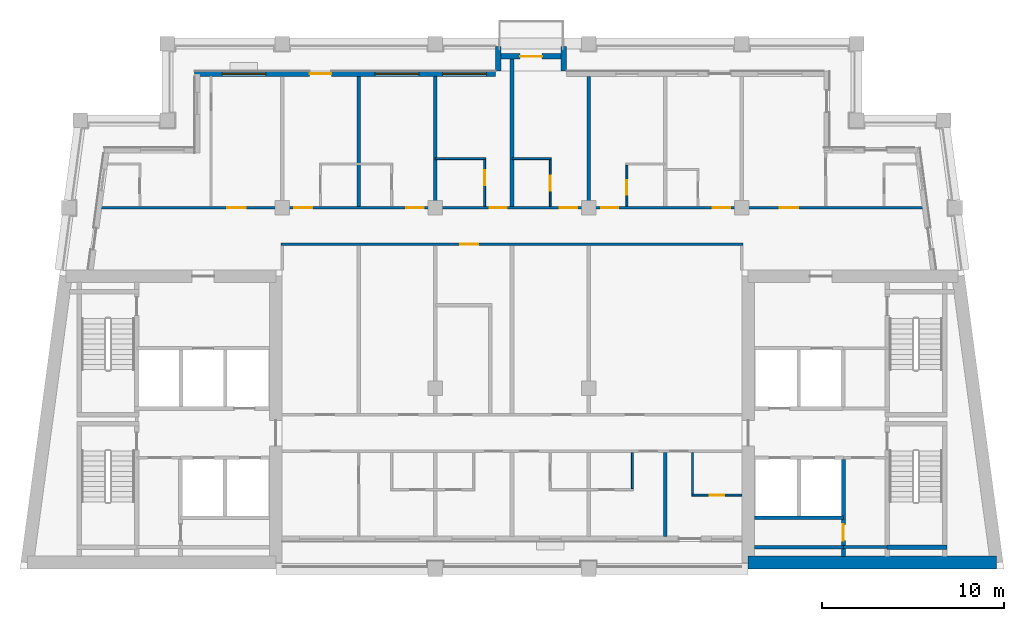
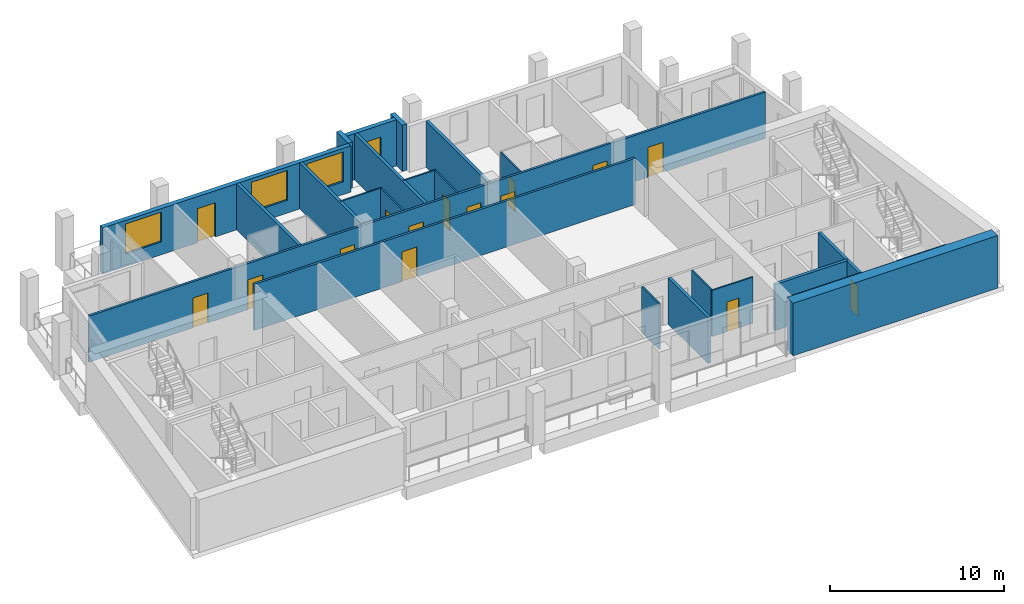
# One storey, part 4 of 10: 25 walls, 16 doors, 3 windows, 19 openings.
"""IFC4 building model written with IfcOpenShell, lengths in metres."""

from ifc_helpers import new_model, si_unit, direction, frame, frame_2d, origin, place, context, subcontext, project, spatial, rectangle, extrude, material, layer, layer_set, type_object, element, fill, save


model = new_model("IFC4")

# Units and contexts
model_context = context("Model", 3, precision=1e-05, world=origin(), true_north=direction((0.0, 1.0)))
body_context = subcontext(model_context, "Body", "Model", "MODEL_VIEW")
ifc_project = project(units=[si_unit("LENGTHUNIT", "METRE"), si_unit("AREAUNIT", "SQUARE_METRE"), si_unit("VOLUMEUNIT", "CUBIC_METRE"), si_unit("PLANEANGLEUNIT", "RADIAN"), si_unit("MASSUNIT", "GRAM", prefix="KILO")], contexts=[model_context])

# Site, building, storey
site_placement = place(None, origin())
site = spatial("IfcSite", under=ifc_project, at=site_placement, CompositionType="ELEMENT")
building_placement = place(site_placement, origin())
building = spatial("IfcBuilding", under=site, at=building_placement, Name="Candeia Pilgrim Tower and Theatre", CompositionType="ELEMENT")
storey_placement = place(building_placement, frame((0.0, 0.0, 299.699951171875)))
storey = spatial("IfcBuildingStorey", under=building, at=storey_placement, Name="L73", CompositionType="ELEMENT", Elevation=299.699951171875)

# Wall
ifc_material_1 = material(Name="Concrete C40/50", Category="concrete")
ifc_layer_1 = layer(ifc_material_1, 0.699951171875)
ifc_layer_set_1 = layer_set([ifc_layer_1], Name="Core wall 700 C40/50")
wall_type_1 = type_object("IfcWallType", Name="Core wall 700 C40/50", PredefinedType="SHEAR", material=ifc_layer_set_1)
wall_1_placement = place(storey_placement, frame((139.9765625, 116.35009765625, 0.0), z_axis=(0.0, 0.0, 1.0), x_axis=(-1.0, 0.0, 0.0)))
element("IfcWall", 1, at=wall_1_placement, inside=storey, type_object=wall_type_1, Name="Core wall E3", PredefinedType="SHEAR", context=body_context, shape_type="SweptSolid", body=[
    extrude(rectangle(XDim=13.62646484375, YDim=0.699951171875, at=frame_2d((6.813232421875, 0.0))), origin(), (0.0, 0.0, 1.0), 3.699951171875),
])

# Wall, openings, door, windows
ifc_material_2 = material(Name="Ceramic block masonry", Category="masonry")
ifc_layer_2 = layer(ifc_material_2, 0.300048828125)
ifc_layer_set_2 = layer_set([ifc_layer_2], Name="EW1 glazing-line wall 300")
wall_type_2 = type_object("IfcWallType", Name="EW1 glazing-line wall 300", PredefinedType="SOLIDWALL", material=ifc_layer_set_2)
wall_2_placement = place(storey_placement, frame((112.5, 143.14990234375, 0.0), z_axis=(0.0, 0.0, 1.0), x_axis=(-1.0, 0.0, 0.0)))
wall_2 = element("IfcWall", 2, at=wall_2_placement, inside=storey, type_object=wall_type_2, Name="External wall L73-5.1", PredefinedType="SOLIDWALL", context=body_context, shape_type="SweptSolid", body=[
    extrude(rectangle(XDim=16.5, YDim=0.300048828125, at=frame_2d((8.25, 0.0))), origin(), (0.0, 0.0, 1.0), 3.25),
])
opening_1_placement = place(wall_2_placement, frame((0.5, 0.0, 0.89990234375)))
opening_1 = element("IfcOpeningElement", 3, at=opening_1_placement, cuts=wall_2, Name="Opening W-A", PredefinedType="OPENING", context=body_context, shape_type="SweptSolid", body=[
    extrude(rectangle(XDim=2.39990234375, YDim=2.10009765625, at=frame_2d((1.199951171875, 1.050048828125))), frame((0.0, 0.16015625, 0.0), z_axis=(0.0, -1.0, 0.0), x_axis=(1.0, 0.0, 0.0)), (0.0, 0.0, 1.0), 0.320068359375),
])
opening_2_placement = place(wall_2_placement, frame((4.199951171875, 0.0, 0.89990234375)))
opening_2 = element("IfcOpeningElement", 4, at=opening_2_placement, cuts=wall_2, Name="Opening W-A", PredefinedType="OPENING", context=body_context, shape_type="SweptSolid", body=[
    extrude(rectangle(XDim=2.39990234375, YDim=2.10009765625, at=frame_2d((1.199951171875, 1.050048828125))), frame((0.0, 0.16015625, 0.0), z_axis=(0.0, -1.0, 0.0), x_axis=(1.0, 0.0, 0.0)), (0.0, 0.0, 1.0), 0.320068359375),
])
opening_3_placement = place(wall_2_placement, frame((9.0, 0.0, 0.0)))
opening_3 = element("IfcOpeningElement", 5, at=opening_3_placement, cuts=wall_2, Name="Opening L73-ED681", PredefinedType="OPENING", context=body_context, shape_type="SweptSolid", body=[
    extrude(rectangle(XDim=1.199951171875, YDim=2.39990234375, at=frame_2d((0.60009765625, 1.199951171875))), frame((0.0, 0.16015625, 0.0), z_axis=(0.0, -1.0, 0.0), x_axis=(1.0, 0.0, 0.0)), (0.0, 0.0, 1.0), 0.320068359375),
])
opening_4_placement = place(wall_2_placement, frame((12.60009765625, 0.0, 0.89990234375)))
opening_4 = element("IfcOpeningElement", 6, at=opening_4_placement, cuts=wall_2, Name="Opening W-A", PredefinedType="OPENING", context=body_context, shape_type="SweptSolid", body=[
    extrude(rectangle(XDim=2.39990234375, YDim=2.10009765625, at=frame_2d((1.199951171875, 1.050048828125))), frame((0.0, 0.16015625, 0.0), z_axis=(0.0, -1.0, 0.0), x_axis=(1.0, 0.0, 0.0)), (0.0, 0.0, 1.0), 0.320068359375),
])
ifc_material_3 = material(Name="Aluminium framed glazed door", Category="aluminium")
door_type_1 = type_object("IfcDoorType", Name="Loggia door 1200x2400", OperationType="DOUBLE_DOOR_SINGLE_SWING", PredefinedType="DOOR", material=ifc_material_3)
door_1_placement = place(opening_3_placement, origin())
door_1 = element("IfcDoor", 7, at=door_1_placement, inside=storey, type_object=door_type_1, Name="Loggia door L73-ED681", OperationType="DOUBLE_DOOR_SINGLE_SWING", OverallHeight=2.39990234375, OverallWidth=1.199951171875, PredefinedType="DOOR", context=body_context, shape_type="SweptSolid", body=[
    extrude(rectangle(XDim=1.199951171875, YDim=2.39990234375, at=frame_2d((0.60009765625, 1.199951171875))), frame((0.0, 0.02490234375, 0.0), z_axis=(0.0, -1.0, 0.0), x_axis=(1.0, 0.0, 0.0)), (0.0, 0.0, 1.0), 0.050048828125),
])
fill(opening_3, door_1)
ifc_material_4 = material(Name="Aluminium framed double glazing", Category="aluminium")
window_type = type_object("IfcWindowType", Name="W-A window 2400x2100", PartitioningType="DOUBLE_PANEL_VERTICAL", PredefinedType="WINDOW", material=ifc_material_4)
window_1_placement = place(opening_1_placement, origin())
window_1 = element("IfcWindow", 8, at=window_1_placement, inside=storey, type_object=window_type, Name="Window W-A L73", OverallHeight=2.10009765625, OverallWidth=2.39990234375, PartitioningType="SINGLE_PANEL", PredefinedType="WINDOW", context=body_context, shape_type="SweptSolid", body=[
    extrude(rectangle(XDim=2.39990234375, YDim=2.10009765625, at=frame_2d((1.199951171875, 1.050048828125))), frame((0.0, 0.030029296875, 0.0), z_axis=(0.0, -1.0, 0.0), x_axis=(1.0, 0.0, 0.0)), (0.0, 0.0, 1.0), 0.06005859375),
])
fill(opening_1, window_1)
window_2_placement = place(opening_2_placement, origin())
window_2 = element("IfcWindow", 9, at=window_2_placement, inside=storey, type_object=window_type, Name="Window W-A L73", OverallHeight=2.10009765625, OverallWidth=2.39990234375, PartitioningType="SINGLE_PANEL", PredefinedType="WINDOW", context=body_context, shape_type="SweptSolid", body=[
    extrude(rectangle(XDim=2.39990234375, YDim=2.10009765625, at=frame_2d((1.199951171875, 1.050048828125))), frame((0.0, 0.030029296875, 0.0), z_axis=(0.0, -1.0, 0.0), x_axis=(1.0, 0.0, 0.0)), (0.0, 0.0, 1.0), 0.06005859375),
])
fill(opening_2, window_2)
window_3_placement = place(opening_4_placement, origin())
window_3 = element("IfcWindow", 10, at=window_3_placement, inside=storey, type_object=window_type, Name="Window W-A L73", OverallHeight=2.10009765625, OverallWidth=2.39990234375, PartitioningType="SINGLE_PANEL", PredefinedType="WINDOW", context=body_context, shape_type="SweptSolid", body=[
    extrude(rectangle(XDim=2.39990234375, YDim=2.10009765625, at=frame_2d((1.199951171875, 1.050048828125))), frame((0.0, 0.030029296875, 0.0), z_axis=(0.0, -1.0, 0.0), x_axis=(1.0, 0.0, 0.0)), (0.0, 0.0, 1.0), 0.06005859375),
])
fill(opening_4, window_3)

# Walls
ifc_layer_3 = layer(ifc_material_2, 0.300048828125)
ifc_layer_set_3 = layer_set([ifc_layer_3], Name="EW2 entrance infill wall 300")
wall_type_3 = type_object("IfcWallType", Name="EW2 entrance infill wall 300", PredefinedType="SOLIDWALL", material=ifc_layer_set_3)
for number, where, z_axis, x_axis, name in (
    (11, (116.25, 143.300048828125, 0.0), (0.0, 0.0, 1.0), (0.0, 1.0, 0.0), "Alcove wall L73"),
    (12, (112.64990234375, 143.300048828125, 0.0), (0.0, 0.0, 1.0), (0.0, 1.0, 0.0), "Alcove wall L73"),
):
    element("IfcWall", number, at=place(storey_placement, frame(where, z_axis=z_axis, x_axis=x_axis)), inside=storey, type_object=wall_type_3, Name=name, PredefinedType="SOLIDWALL", context=body_context, shape_type="SweptSolid", body=[
        extrude(rectangle(XDim=1.349853515625, YDim=0.300048828125, at=frame_2d((0.6748046875, 0.0))), origin(), (0.0, 0.0, 1.0), 3.25),
    ])

# Wall, opening, door
wall_3_placement = place(storey_placement, frame((116.39990234375, 144.10009765625, 0.0), z_axis=(0.0, 0.0, 1.0), x_axis=(-1.0, 0.0, 0.0)))
wall_3 = element("IfcWall", 13, at=wall_3_placement, inside=storey, type_object=wall_type_3, Name="Alcove wall L73", PredefinedType="SOLIDWALL", context=body_context, shape_type="SweptSolid", body=[
    extrude(rectangle(XDim=3.89990234375, YDim=0.300048828125, at=frame_2d((1.949951171875, 0.0))), origin(), (0.0, 0.0, 1.0), 3.25),
])
opening_5_placement = place(wall_3_placement, frame((1.35009765625, 0.0, 0.0)))
opening_5 = element("IfcOpeningElement", 14, at=opening_5_placement, cuts=wall_3, Name="Opening L73-ED682", PredefinedType="OPENING", context=body_context, shape_type="SweptSolid", body=[
    extrude(rectangle(XDim=1.199951171875, YDim=2.39990234375, at=frame_2d((0.60009765625, 1.199951171875))), frame((0.0, 0.16015625, 0.0), z_axis=(0.0, -1.0, 0.0), x_axis=(1.0, 0.0, 0.0)), (0.0, 0.0, 1.0), 0.320068359375),
])
door_2_placement = place(opening_5_placement, origin())
door_2 = element("IfcDoor", 15, at=door_2_placement, inside=storey, type_object=door_type_1, Name="Balcony door L73-ED682", OperationType="DOUBLE_DOOR_SINGLE_SWING", OverallHeight=2.39990234375, OverallWidth=1.199951171875, PredefinedType="DOOR", context=body_context, shape_type="SweptSolid", body=[
    extrude(rectangle(XDim=1.199951171875, YDim=2.39990234375, at=frame_2d((0.60009765625, 1.199951171875))), frame((0.0, 0.02490234375, 0.0), z_axis=(0.0, -1.0, 0.0), x_axis=(1.0, 0.0, 0.0)), (0.0, 0.0, 1.0), 0.050048828125),
])
fill(opening_5, door_2)

ifc_material_5 = material(Name="Gypsum board partition on steel studs", Category="steel")
ifc_layer_4 = layer(ifc_material_5, 0.10009765625)
ifc_layer_set_4 = layer_set([ifc_layer_4], Name="PW-100 room partition")
wall_type_4 = type_object("IfcWallType", Name="PW-100 room partition", PredefinedType="PARTITIONING", material=ifc_layer_set_4)
wall_4_placement = place(storey_placement, frame((123.25, 120.050048828125, 0.0), z_axis=(0.0, 0.0, 1.0), x_axis=(1.0, 0.0, 0.0)))
wall_4 = element("IfcWall", 16, at=wall_4_placement, inside=storey, type_object=wall_type_4, Name="Room partition L73-009", PredefinedType="PARTITIONING", context=body_context, shape_type="SweptSolid", body=[
    extrude(rectangle(XDim=2.75, YDim=0.10009765625, at=frame_2d((1.375, 0.0))), origin(), (0.0, 0.0, 1.0), 3.25),
])
opening_6_placement = place(wall_4_placement, frame((1.0, 0.0, 0.0)))
opening_6 = element("IfcOpeningElement", 17, at=opening_6_placement, cuts=wall_4, Name="Opening L73-D019", PredefinedType="OPENING", context=body_context, shape_type="SweptSolid", body=[
    extrude(rectangle(XDim=0.800048828125, YDim=2.10009765625, at=frame_2d((0.39990234375, 1.050048828125))), frame((0.0, 0.06005859375, 0.0), z_axis=(0.0, -1.0, 0.0), x_axis=(1.0, 0.0, 0.0)), (0.0, 0.0, 1.0), 0.1201171875),
])
ifc_material_6 = material(Name="Timber door leaf", Category="wood")
door_type_2 = type_object("IfcDoorType", Name="D-800", OperationType="NOTDEFINED", PredefinedType="DOOR", material=ifc_material_6)
door_3_placement = place(opening_6_placement, origin())
door_3 = element("IfcDoor", 18, at=door_3_placement, inside=storey, type_object=door_type_2, Name="Door L73-D019", OperationType="SINGLE_SWING_RIGHT", OverallHeight=2.10009765625, OverallWidth=0.800048828125, PredefinedType="DOOR", context=body_context, shape_type="SweptSolid", body=[
    extrude(rectangle(XDim=0.800048828125, YDim=2.10009765625, at=frame_2d((0.39990234375, 1.050048828125))), frame((0.0, 0.02490234375, 0.0), z_axis=(0.0, -1.0, 0.0), x_axis=(1.0, 0.0, 0.0)), (0.0, 0.0, 1.0), 0.050048828125),
])
fill(opening_6, door_3)

# Walls
wall_5_placement = place(storey_placement, frame((109.199951171875, 138.5, 0.0), z_axis=(0.0, 0.0, 1.0), x_axis=(1.0, 0.0, 0.0)))
element("IfcWall", 19, at=wall_5_placement, inside=storey, type_object=wall_type_4, Name="Room partition L73-038", PredefinedType="PARTITIONING", context=body_context, shape_type="SweptSolid", body=[
    extrude(rectangle(XDim=2.75, YDim=0.10009765625, at=frame_2d((1.375, 0.0))), origin(), (0.0, 0.0, 1.0), 3.25),
])
wall_6_placement = place(storey_placement, frame((113.39990234375, 138.5, 0.0), z_axis=(0.0, 0.0, 1.0), x_axis=(1.0, 0.0, 0.0)))
element("IfcWall", 20, at=wall_6_placement, inside=storey, type_object=wall_type_4, Name="Room partition L73-039", PredefinedType="PARTITIONING", context=body_context, shape_type="SweptSolid", body=[
    extrude(rectangle(XDim=2.150146484375, YDim=0.10009765625, at=frame_2d((1.0751953125, 0.0))), origin(), (0.0, 0.0, 1.0), 3.25),
])

# Wall, opening, door
wall_7_placement = place(storey_placement, frame((111.89990234375, 135.875, 0.0), z_axis=(0.0, 0.0, 1.0), x_axis=(0.0, 1.0, 0.0)))
wall_7 = element("IfcWall", 21, at=wall_7_placement, inside=storey, type_object=wall_type_4, Name="Room partition L73-063", PredefinedType="PARTITIONING", context=body_context, shape_type="SweptSolid", body=[
    extrude(rectangle(XDim=2.574951171875, YDim=0.10009765625, at=frame_2d((1.28759765625, 0.0))), origin(), (0.0, 0.0, 1.0), 3.25),
])
opening_7_placement = place(wall_7_placement, frame((1.175048828125, 0.0, 0.0)))
opening_7 = element("IfcOpeningElement", 22, at=opening_7_placement, cuts=wall_7, Name="Opening L73-D028", PredefinedType="OPENING", context=body_context, shape_type="SweptSolid", body=[
    extrude(rectangle(XDim=0.800048828125, YDim=2.10009765625, at=frame_2d((0.39990234375, 1.050048828125))), frame((0.0, 0.06005859375, 0.0), z_axis=(0.0, -1.0, 0.0), x_axis=(1.0, 0.0, 0.0)), (0.0, 0.0, 1.0), 0.1201171875),
])
door_4_placement = place(opening_7_placement, origin())
door_4 = element("IfcDoor", 23, at=door_4_placement, inside=storey, type_object=door_type_2, Name="Door L73-D028", OperationType="SINGLE_SWING_LEFT", OverallHeight=2.10009765625, OverallWidth=0.800048828125, PredefinedType="DOOR", context=body_context, shape_type="SweptSolid", body=[
    extrude(rectangle(XDim=0.800048828125, YDim=2.10009765625, at=frame_2d((0.39990234375, 1.050048828125))), frame((0.0, 0.02490234375, 0.0), z_axis=(0.0, -1.0, 0.0), x_axis=(1.0, 0.0, 0.0)), (0.0, 0.0, 1.0), 0.050048828125),
])
fill(opening_7, door_4)

wall_8_placement = place(storey_placement, frame((115.5, 135.875, 0.0), z_axis=(0.0, 0.0, 1.0), x_axis=(0.0, 1.0, 0.0)))
wall_8 = element("IfcWall", 24, at=wall_8_placement, inside=storey, type_object=wall_type_4, Name="Room partition L73-069", PredefinedType="PARTITIONING", context=body_context, shape_type="SweptSolid", body=[
    extrude(rectangle(XDim=2.574951171875, YDim=0.10009765625, at=frame_2d((1.28759765625, 0.0))), origin(), (0.0, 0.0, 1.0), 3.25),
])
opening_8_placement = place(wall_8_placement, frame((0.875, 0.0, 0.0)))
opening_8 = element("IfcOpeningElement", 25, at=opening_8_placement, cuts=wall_8, Name="Opening L73-D030", PredefinedType="OPENING", context=body_context, shape_type="SweptSolid", body=[
    extrude(rectangle(XDim=0.800048828125, YDim=2.10009765625, at=frame_2d((0.39990234375, 1.050048828125))), frame((0.0, 0.06005859375, 0.0), z_axis=(0.0, -1.0, 0.0), x_axis=(1.0, 0.0, 0.0)), (0.0, 0.0, 1.0), 0.1201171875),
])
door_5_placement = place(opening_8_placement, origin())
door_5 = element("IfcDoor", 26, at=door_5_placement, inside=storey, type_object=door_type_2, Name="Door L73-D030", OperationType="SINGLE_SWING_LEFT", OverallHeight=2.10009765625, OverallWidth=0.800048828125, PredefinedType="DOOR", context=body_context, shape_type="SweptSolid", body=[
    extrude(rectangle(XDim=0.800048828125, YDim=2.10009765625, at=frame_2d((0.39990234375, 1.050048828125))), frame((0.0, 0.02490234375, 0.0), z_axis=(0.0, -1.0, 0.0), x_axis=(1.0, 0.0, 0.0)), (0.0, 0.0, 1.0), 0.050048828125),
])
fill(opening_8, door_5)

wall_9_placement = place(storey_placement, frame((119.699951171875, 135.875, 0.0), z_axis=(0.0, 0.0, 1.0), x_axis=(0.0, 1.0, 0.0)))
wall_9 = element("IfcWall", 27, at=wall_9_placement, inside=storey, type_object=wall_type_4, Name="Room partition L73-073", PredefinedType="PARTITIONING", context=body_context, shape_type="SweptSolid", body=[
    extrude(rectangle(XDim=2.27490234375, YDim=0.10009765625, at=frame_2d((1.137451171875, 0.0))), origin(), (0.0, 0.0, 1.0), 3.25),
])
opening_9_placement = place(wall_9_placement, frame((0.635009765625, 0.0, 0.0)))
opening_9 = element("IfcOpeningElement", 28, at=opening_9_placement, cuts=wall_9, Name="Opening L73-D032", PredefinedType="OPENING", context=body_context, shape_type="SweptSolid", body=[
    extrude(rectangle(XDim=0.800048828125, YDim=2.10009765625, at=frame_2d((0.39990234375, 1.050048828125))), frame((0.0, 0.06005859375, 0.0), z_axis=(0.0, -1.0, 0.0), x_axis=(1.0, 0.0, 0.0)), (0.0, 0.0, 1.0), 0.1201171875),
])
door_6_placement = place(opening_9_placement, origin())
door_6 = element("IfcDoor", 29, at=door_6_placement, inside=storey, type_object=door_type_2, Name="Door L73-D032", OperationType="SINGLE_SWING_LEFT", OverallHeight=2.10009765625, OverallWidth=0.800048828125, PredefinedType="DOOR", context=body_context, shape_type="SweptSolid", body=[
    extrude(rectangle(XDim=0.800048828125, YDim=2.10009765625, at=frame_2d((0.39990234375, 1.050048828125))), frame((0.0, 0.02490234375, 0.0), z_axis=(0.0, -1.0, 0.0), x_axis=(1.0, 0.0, 0.0)), (0.0, 0.0, 1.0), 0.050048828125),
])
fill(opening_9, door_6)

# Walls
wall_10_placement = place(storey_placement, frame((120.0, 120.39990234375, 0.0), z_axis=(0.0, 0.0, 1.0), x_axis=(0.0, 1.0, 0.0)))
element("IfcWall", 30, at=wall_10_placement, inside=storey, type_object=wall_type_4, Name="Room partition L73-074", PredefinedType="PARTITIONING", context=body_context, shape_type="SweptSolid", body=[
    extrude(rectangle(XDim=1.97509765625, YDim=0.10009765625, at=frame_2d((0.987548828125, 0.0))), origin(), (0.0, 0.0, 1.0), 3.25),
])
wall_11_placement = place(storey_placement, frame((123.300048828125, 120.10009765625, 0.0), z_axis=(0.0, 0.0, 1.0), x_axis=(0.0, 1.0, 0.0)))
element("IfcWall", 31, at=wall_11_placement, inside=storey, type_object=wall_type_4, Name="Room partition L73-077", PredefinedType="PARTITIONING", context=body_context, shape_type="SweptSolid", body=[
    extrude(rectangle(XDim=2.27490234375, YDim=0.10009765625, at=frame_2d((1.137451171875, 0.0))), origin(), (0.0, 0.0, 1.0), 3.25),
])
ifc_layer_5 = layer(ifc_material_5, 0.14990234375)
ifc_layer_set_5 = layer_set([ifc_layer_5], Name="PW-150 lobby wall")
wall_type_5 = type_object("IfcWallType", Name="PW-150 lobby wall", PredefinedType="PARTITIONING", material=ifc_layer_set_5)
wall_12_placement = place(storey_placement, frame((131.572998046875, 117.199951171875, 0.0), z_axis=(0.0, 0.0, 1.0), x_axis=(1.0, 0.0, 0.0)))
element("IfcWall", 32, at=wall_12_placement, inside=storey, type_object=wall_type_5, Name="Lobby wall L73-004", PredefinedType="PARTITIONING", context=body_context, shape_type="SweptSolid", body=[
    extrude(rectangle(XDim=2.39990234375, YDim=0.14990234375, at=frame_2d((1.199951171875, 0.0))), origin(), (0.0, 0.0, 1.0), 3.25),
])

# Wall, opening, door
ifc_layer_6 = layer(ifc_material_5, 0.14990234375)
ifc_layer_set_6 = layer_set([ifc_layer_6], Name="PW-150 unit wall")
wall_type_6 = type_object("IfcWallType", Name="PW-150 unit wall", PredefinedType="PARTITIONING", material=ifc_layer_set_6)
wall_13_placement = place(storey_placement, frame((100.72509765625, 133.800048828125, 0.0), z_axis=(0.0, 0.0, 1.0), x_axis=(1.0, 0.0, 0.0)))
wall_13 = element("IfcWall", 33, at=wall_13_placement, inside=storey, type_object=wall_type_6, Name="Unit wall L73-031", PredefinedType="PARTITIONING", context=body_context, shape_type="SweptSolid", body=[
    extrude(rectangle(XDim=25.349853515625, YDim=0.14990234375, at=frame_2d((12.6748046875, 0.0))), origin(), (0.0, 0.0, 1.0), 3.25),
])
opening_10_placement = place(wall_13_placement, frame((9.824951171875, 0.0, 0.0)))
opening_10 = element("IfcOpeningElement", 34, at=opening_10_placement, cuts=wall_13, Name="Opening L73-D038", PredefinedType="OPENING", context=body_context, shape_type="SweptSolid", body=[
    extrude(rectangle(XDim=1.0, YDim=2.10009765625, at=frame_2d((0.5, 1.050048828125))), frame((0.0, 0.0849609375, 0.0), z_axis=(0.0, -1.0, 0.0), x_axis=(1.0, 0.0, 0.0)), (0.0, 0.0, 1.0), 0.169921875),
])
ifc_material_7 = material(Name="Steel fire door set", Category="steel")
door_type_3 = type_object("IfcDoorType", Name="D-1000-FD30S", OperationType="NOTDEFINED", PredefinedType="DOOR", material=ifc_material_7)
door_7_placement = place(opening_10_placement, origin())
door_7 = element("IfcDoor", 35, at=door_7_placement, inside=storey, type_object=door_type_3, Name="Door L73-D038", OperationType="SINGLE_SWING_LEFT", OverallHeight=2.10009765625, OverallWidth=1.0, PredefinedType="DOOR", context=body_context, shape_type="SweptSolid", body=[
    extrude(rectangle(XDim=1.0, YDim=2.10009765625, at=frame_2d((0.5, 1.050048828125))), frame((0.0, 0.02490234375, 0.0), z_axis=(0.0, -1.0, 0.0), x_axis=(1.0, 0.0, 0.0)), (0.0, 0.0, 1.0), 0.050048828125),
])
fill(opening_10, door_7)

# Wall, openings, doors
wall_14_placement = place(storey_placement, frame((90.89453125, 135.800048828125, 0.0), z_axis=(0.0, 0.0, 1.0), x_axis=(1.0, 0.0, 0.0)))
wall_14 = element("IfcWall", 36, at=wall_14_placement, inside=storey, type_object=wall_type_6, Name="Unit wall L73-032", PredefinedType="PARTITIONING", context=body_context, shape_type="SweptSolid", body=[
    extrude(rectangle(XDim=45.010986328125, YDim=0.14990234375, at=frame_2d((22.50537109375, 0.0))), origin(), (0.0, 0.0, 1.0), 3.25),
])
opening_11_placement = place(wall_14_placement, frame((6.905517578125, 0.0, 0.0)))
opening_11 = element("IfcOpeningElement", 37, at=opening_11_placement, cuts=wall_14, Name="Opening L73-D020", PredefinedType="OPENING", context=body_context, shape_type="SweptSolid", body=[
    extrude(rectangle(XDim=1.0, YDim=2.10009765625, at=frame_2d((0.5, 1.050048828125))), frame((0.0, 0.0849609375, 0.0), z_axis=(0.0, -1.0, 0.0), x_axis=(1.0, 0.0, 0.0)), (0.0, 0.0, 1.0), 0.169921875),
])
opening_12_placement = place(wall_14_placement, frame((10.555419921875, 0.0, 0.0)))
opening_12 = element("IfcOpeningElement", 38, at=opening_12_placement, cuts=wall_14, Name="Opening L73-D023", PredefinedType="OPENING", context=body_context, shape_type="SweptSolid", body=[
    extrude(rectangle(XDim=1.0, YDim=2.10009765625, at=frame_2d((0.5, 1.050048828125))), frame((0.0, 0.0849609375, 0.0), z_axis=(0.0, -1.0, 0.0), x_axis=(1.0, 0.0, 0.0)), (0.0, 0.0, 1.0), 0.169921875),
])
opening_13_placement = place(wall_14_placement, frame((16.718505859375, 0.0, 0.0)))
opening_13 = element("IfcOpeningElement", 39, at=opening_13_placement, cuts=wall_14, Name="Opening L73-D025", PredefinedType="OPENING", context=body_context, shape_type="SweptSolid", body=[
    extrude(rectangle(XDim=0.949951171875, YDim=2.10009765625, at=frame_2d((0.47509765625, 1.050048828125))), frame((0.0, 0.0849609375, 0.0), z_axis=(0.0, -1.0, 0.0), x_axis=(1.0, 0.0, 0.0)), (0.0, 0.0, 1.0), 0.169921875),
])
opening_14_placement = place(wall_14_placement, frame((21.280517578125, 0.0, 0.0)))
opening_14 = element("IfcOpeningElement", 40, at=opening_14_placement, cuts=wall_14, Name="Opening L73-D027", PredefinedType="OPENING", context=body_context, shape_type="SweptSolid", body=[
    extrude(rectangle(XDim=0.949951171875, YDim=2.10009765625, at=frame_2d((0.47509765625, 1.050048828125))), frame((0.0, 0.0849609375, 0.0), z_axis=(0.0, -1.0, 0.0), x_axis=(1.0, 0.0, 0.0)), (0.0, 0.0, 1.0), 0.169921875),
])
opening_15_placement = place(wall_14_placement, frame((25.12548828125, 0.0, 0.0)))
opening_15 = element("IfcOpeningElement", 41, at=opening_15_placement, cuts=wall_14, Name="Opening L73-D029", PredefinedType="OPENING", context=body_context, shape_type="SweptSolid", body=[
    extrude(rectangle(XDim=0.949951171875, YDim=2.10009765625, at=frame_2d((0.47509765625, 1.050048828125))), frame((0.0, 0.0849609375, 0.0), z_axis=(0.0, -1.0, 0.0), x_axis=(1.0, 0.0, 0.0)), (0.0, 0.0, 1.0), 0.169921875),
])
opening_16_placement = place(wall_14_placement, frame((27.393310546875, 0.0, 0.0)))
opening_16 = element("IfcOpeningElement", 42, at=opening_16_placement, cuts=wall_14, Name="Opening L73-D031", PredefinedType="OPENING", context=body_context, shape_type="SweptSolid", body=[
    extrude(rectangle(XDim=0.949951171875, YDim=2.10009765625, at=frame_2d((0.47509765625, 1.050048828125))), frame((0.0, 0.0849609375, 0.0), z_axis=(0.0, -1.0, 0.0), x_axis=(1.0, 0.0, 0.0)), (0.0, 0.0, 1.0), 0.169921875),
])
opening_17_placement = place(wall_14_placement, frame((33.518310546875, 0.0, 0.0)))
opening_17 = element("IfcOpeningElement", 43, at=opening_17_placement, cuts=wall_14, Name="Opening L73-D033", PredefinedType="OPENING", context=body_context, shape_type="SweptSolid", body=[
    extrude(rectangle(XDim=0.949951171875, YDim=2.10009765625, at=frame_2d((0.47509765625, 1.050048828125))), frame((0.0, 0.0849609375, 0.0), z_axis=(0.0, -1.0, 0.0), x_axis=(1.0, 0.0, 0.0)), (0.0, 0.0, 1.0), 0.169921875),
])
opening_18_placement = place(wall_14_placement, frame((37.1953125, 0.0, 0.0)))
opening_18 = element("IfcOpeningElement", 44, at=opening_18_placement, cuts=wall_14, Name="Opening L73-D035", PredefinedType="OPENING", context=body_context, shape_type="SweptSolid", body=[
    extrude(rectangle(XDim=1.0, YDim=2.10009765625, at=frame_2d((0.5, 1.050048828125))), frame((0.0, 0.0849609375, 0.0), z_axis=(0.0, -1.0, 0.0), x_axis=(1.0, 0.0, 0.0)), (0.0, 0.0, 1.0), 0.169921875),
])
door_8_placement = place(opening_11_placement, origin())
door_8 = element("IfcDoor", 45, at=door_8_placement, inside=storey, type_object=door_type_3, Name="Door L73-D020", OperationType="SINGLE_SWING_LEFT", OverallHeight=2.10009765625, OverallWidth=1.0, PredefinedType="DOOR", context=body_context, shape_type="SweptSolid", body=[
    extrude(rectangle(XDim=1.0, YDim=2.10009765625, at=frame_2d((0.5, 1.050048828125))), frame((0.0, 0.02490234375, 0.0), z_axis=(0.0, -1.0, 0.0), x_axis=(1.0, 0.0, 0.0)), (0.0, 0.0, 1.0), 0.050048828125),
])
fill(opening_11, door_8)
door_9_placement = place(opening_12_placement, origin())
door_9 = element("IfcDoor", 46, at=door_9_placement, inside=storey, type_object=door_type_3, Name="Door L73-D023", OperationType="SINGLE_SWING_RIGHT", OverallHeight=2.10009765625, OverallWidth=1.0, PredefinedType="DOOR", context=body_context, shape_type="SweptSolid", body=[
    extrude(rectangle(XDim=1.0, YDim=2.10009765625, at=frame_2d((0.5, 1.050048828125))), frame((0.0, 0.02490234375, 0.0), z_axis=(0.0, -1.0, 0.0), x_axis=(1.0, 0.0, 0.0)), (0.0, 0.0, 1.0), 0.050048828125),
])
fill(opening_12, door_9)
door_10_placement = place(opening_18_placement, origin())
door_10 = element("IfcDoor", 47, at=door_10_placement, inside=storey, type_object=door_type_3, Name="Door L73-D035", OperationType="SINGLE_SWING_RIGHT", OverallHeight=2.10009765625, OverallWidth=1.0, PredefinedType="DOOR", context=body_context, shape_type="SweptSolid", body=[
    extrude(rectangle(XDim=1.0, YDim=2.10009765625, at=frame_2d((0.5, 1.050048828125))), frame((0.0, 0.02490234375, 0.0), z_axis=(0.0, -1.0, 0.0), x_axis=(1.0, 0.0, 0.0)), (0.0, 0.0, 1.0), 0.050048828125),
])
fill(opening_18, door_10)
door_type_4 = type_object("IfcDoorType", Name="D-950-FD30S", OperationType="NOTDEFINED", PredefinedType="DOOR", material=ifc_material_7)
door_11_placement = place(opening_13_placement, origin())
door_11 = element("IfcDoor", 48, at=door_11_placement, inside=storey, type_object=door_type_4, Name="Door L73-D025", OperationType="SINGLE_SWING_RIGHT", OverallHeight=2.10009765625, OverallWidth=0.949951171875, PredefinedType="DOOR", context=body_context, shape_type="SweptSolid", body=[
    extrude(rectangle(XDim=0.949951171875, YDim=2.10009765625, at=frame_2d((0.47509765625, 1.050048828125))), frame((0.0, 0.02490234375, 0.0), z_axis=(0.0, -1.0, 0.0), x_axis=(1.0, 0.0, 0.0)), (0.0, 0.0, 1.0), 0.050048828125),
])
fill(opening_13, door_11)
door_12_placement = place(opening_14_placement, origin())
door_12 = element("IfcDoor", 49, at=door_12_placement, inside=storey, type_object=door_type_4, Name="Door L73-D027", OperationType="SINGLE_SWING_RIGHT", OverallHeight=2.10009765625, OverallWidth=0.949951171875, PredefinedType="DOOR", context=body_context, shape_type="SweptSolid", body=[
    extrude(rectangle(XDim=0.949951171875, YDim=2.10009765625, at=frame_2d((0.47509765625, 1.050048828125))), frame((0.0, 0.02490234375, 0.0), z_axis=(0.0, -1.0, 0.0), x_axis=(1.0, 0.0, 0.0)), (0.0, 0.0, 1.0), 0.050048828125),
])
fill(opening_14, door_12)
door_13_placement = place(opening_15_placement, origin())
door_13 = element("IfcDoor", 50, at=door_13_placement, inside=storey, type_object=door_type_4, Name="Door L73-D029", OperationType="SINGLE_SWING_RIGHT", OverallHeight=2.10009765625, OverallWidth=0.949951171875, PredefinedType="DOOR", context=body_context, shape_type="SweptSolid", body=[
    extrude(rectangle(XDim=0.949951171875, YDim=2.10009765625, at=frame_2d((0.47509765625, 1.050048828125))), frame((0.0, 0.02490234375, 0.0), z_axis=(0.0, -1.0, 0.0), x_axis=(1.0, 0.0, 0.0)), (0.0, 0.0, 1.0), 0.050048828125),
])
fill(opening_15, door_13)
door_14_placement = place(opening_16_placement, origin())
door_14 = element("IfcDoor", 51, at=door_14_placement, inside=storey, type_object=door_type_4, Name="Door L73-D031", OperationType="SINGLE_SWING_RIGHT", OverallHeight=2.10009765625, OverallWidth=0.949951171875, PredefinedType="DOOR", context=body_context, shape_type="SweptSolid", body=[
    extrude(rectangle(XDim=0.949951171875, YDim=2.10009765625, at=frame_2d((0.47509765625, 1.050048828125))), frame((0.0, 0.02490234375, 0.0), z_axis=(0.0, -1.0, 0.0), x_axis=(1.0, 0.0, 0.0)), (0.0, 0.0, 1.0), 0.050048828125),
])
fill(opening_16, door_14)
door_15_placement = place(opening_17_placement, origin())
door_15 = element("IfcDoor", 52, at=door_15_placement, inside=storey, type_object=door_type_4, Name="Door L73-D033", OperationType="SINGLE_SWING_RIGHT", OverallHeight=2.10009765625, OverallWidth=0.949951171875, PredefinedType="DOOR", context=body_context, shape_type="SweptSolid", body=[
    extrude(rectangle(XDim=0.949951171875, YDim=2.10009765625, at=frame_2d((0.47509765625, 1.050048828125))), frame((0.0, 0.02490234375, 0.0), z_axis=(0.0, -1.0, 0.0), x_axis=(1.0, 0.0, 0.0)), (0.0, 0.0, 1.0), 0.050048828125),
])
fill(opening_17, door_15)

# Walls
ifc_layer_7 = layer(ifc_material_5, 0.199951171875)
ifc_layer_set_7 = layer_set([ifc_layer_7], Name="PW-200 party wall")
wall_type_7 = type_object("IfcWallType", Name="PW-200 party wall", PredefinedType="PARTITIONING", material=ifc_layer_set_7)
for number, where, z_axis, x_axis, name in (
    (53, (105.0, 135.875, 0.0), (0.0, 0.0, 1.0), (0.0, 1.0, 0.0), "Party wall L73-056"),
    (54, (109.199951171875, 135.875, 0.0), (0.0, 0.0, 1.0), (0.0, 1.0, 0.0), "Party wall L73-061"),
):
    element("IfcWall", number, at=place(storey_placement, frame(where, z_axis=z_axis, x_axis=x_axis)), inside=storey, type_object=wall_type_7, Name=name, PredefinedType="PARTITIONING", context=body_context, shape_type="SweptSolid", body=[
        extrude(rectangle(XDim=7.135009765625, YDim=0.199951171875, at=frame_2d((3.5673828125, 0.0))), origin(), (0.0, 0.0, 1.0), 3.25),
    ])
wall_15_placement = place(storey_placement, frame((113.39990234375, 135.875, 0.0), z_axis=(0.0, 0.0, 1.0), x_axis=(0.0, 1.0, 0.0)))
element("IfcWall", 55, at=wall_15_placement, inside=storey, type_object=wall_type_7, Name="Party wall L73-067", PredefinedType="PARTITIONING", context=body_context, shape_type="SweptSolid", body=[
    extrude(rectangle(XDim=8.0849609375, YDim=0.199951171875, at=frame_2d((4.04248046875, 0.0))), origin(), (0.0, 0.0, 1.0), 3.25),
])
wall_16_placement = place(storey_placement, frame((117.60009765625, 135.875, 0.0), z_axis=(0.0, 0.0, 1.0), x_axis=(0.0, 1.0, 0.0)))
element("IfcWall", 56, at=wall_16_placement, inside=storey, type_object=wall_type_7, Name="Party wall L73-072", PredefinedType="PARTITIONING", context=body_context, shape_type="SweptSolid", body=[
    extrude(rectangle(XDim=7.135009765625, YDim=0.199951171875, at=frame_2d((3.5673828125, 0.0))), origin(), (0.0, 0.0, 1.0), 3.25),
])
wall_17_placement = place(storey_placement, frame((121.800048828125, 117.7900390625, 0.0), z_axis=(0.0, 0.0, 1.0), x_axis=(0.0, 1.0, 0.0)))
element("IfcWall", 57, at=wall_17_placement, inside=storey, type_object=wall_type_7, Name="Party wall L73-075", PredefinedType="PARTITIONING", context=body_context, shape_type="SweptSolid", body=[
    extrude(rectangle(XDim=4.5849609375, YDim=0.199951171875, at=frame_2d((2.29248046875, 0.0))), origin(), (0.0, 0.0, 1.0), 3.25),
])
ifc_layer_8 = layer(ifc_material_1, 0.199951171875)
ifc_layer_set_8 = layer_set([ifc_layer_8], Name="SW-200 shaft wall")
wall_type_8 = type_object("IfcWallType", Name="SW-200 shaft wall", PredefinedType="PARTITIONING", material=ifc_layer_set_8)
for number, where, z_axis, x_axis, name in (
    (58, (126.699951171875, 117.199951171875, 0.0), (0.0, 0.0, 1.0), (1.0, 0.0, 0.0), "Shaft wall L73-002"),
    (59, (126.699951171875, 118.800048828125, 0.0), (0.0, 0.0, 1.0), (1.0, 0.0, 0.0), "Shaft wall L73-008"),
):
    element("IfcWall", number, at=place(storey_placement, frame(where, z_axis=z_axis, x_axis=x_axis)), inside=storey, type_object=wall_type_8, Name=name, PredefinedType="PARTITIONING", context=body_context, shape_type="SweptSolid", body=[
        extrude(rectangle(XDim=4.873046875, YDim=0.199951171875, at=frame_2d((2.4365234375, 0.0))), origin(), (0.0, 0.0, 1.0), 3.25),
    ])

# Wall, opening, door
wall_18_placement = place(storey_placement, frame((131.572998046875, 116.669921875, 0.0), z_axis=(0.0, 0.0, 1.0), x_axis=(0.0, 1.0, 0.0)))
wall_18 = element("IfcWall", 60, at=wall_18_placement, inside=storey, type_object=wall_type_8, Name="Shaft wall L73-085", PredefinedType="PARTITIONING", context=body_context, shape_type="SweptSolid", body=[
    extrude(rectangle(XDim=5.330078125, YDim=0.199951171875, at=frame_2d((2.6650390625, 0.0))), origin(), (0.0, 0.0, 1.0), 3.25),
])
opening_19_placement = place(wall_18_placement, frame((0.8798828125, 0.0, 0.0)))
opening_19 = element("IfcOpeningElement", 61, at=opening_19_placement, cuts=wall_18, Name="Opening L73-D008", PredefinedType="OPENING", context=body_context, shape_type="SweptSolid", body=[
    extrude(rectangle(XDim=0.89990234375, YDim=2.10009765625, at=frame_2d((0.449951171875, 1.050048828125))), frame((0.0, 0.10986328125, 0.0), z_axis=(0.0, -1.0, 0.0), x_axis=(1.0, 0.0, 0.0)), (0.0, 0.0, 1.0), 0.219970703125),
])
door_type_5 = type_object("IfcDoorType", Name="D-900-FD60", OperationType="NOTDEFINED", PredefinedType="DOOR", material=ifc_material_7)
door_16_placement = place(opening_19_placement, origin())
door_16 = element("IfcDoor", 62, at=door_16_placement, inside=storey, type_object=door_type_5, Name="Door L73-D008", OperationType="SINGLE_SWING_LEFT", OverallHeight=2.10009765625, OverallWidth=0.89990234375, PredefinedType="DOOR", context=body_context, shape_type="SweptSolid", body=[
    extrude(rectangle(XDim=0.89990234375, YDim=2.10009765625, at=frame_2d((0.449951171875, 1.050048828125))), frame((0.0, 0.02490234375, 0.0), z_axis=(0.0, -1.0, 0.0), x_axis=(1.0, 0.0, 0.0)), (0.0, 0.0, 1.0), 0.050048828125),
])
fill(opening_19, door_16)

# Wall
ifc_layer_9 = layer(ifc_material_1, 0.25)
ifc_layer_set_9 = layer_set([ifc_layer_9], Name="SW-250 stair wall")
wall_type_9 = type_object("IfcWallType", Name="SW-250 stair wall", PredefinedType="PARTITIONING", material=ifc_layer_set_9)
wall_19_placement = place(storey_placement, frame((133.972900390625, 117.199951171875, 0.0), z_axis=(0.0, 0.0, 1.0), x_axis=(1.0, 0.0, 0.0)))
element("IfcWall", 63, at=wall_19_placement, inside=storey, type_object=wall_type_9, Name="Stair wall L73-006", PredefinedType="PARTITIONING", context=body_context, shape_type="SweptSolid", body=[
    extrude(rectangle(XDim=3.275146484375, YDim=0.25, at=frame_2d((1.6376953125, 0.0))), origin(), (0.0, 0.0, 1.0), 3.25),
])

save(model, "model.ifc")
